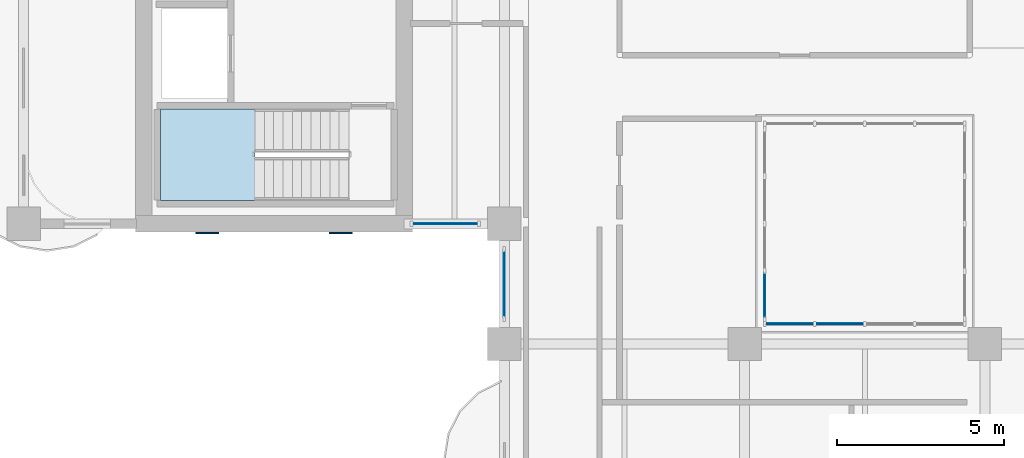
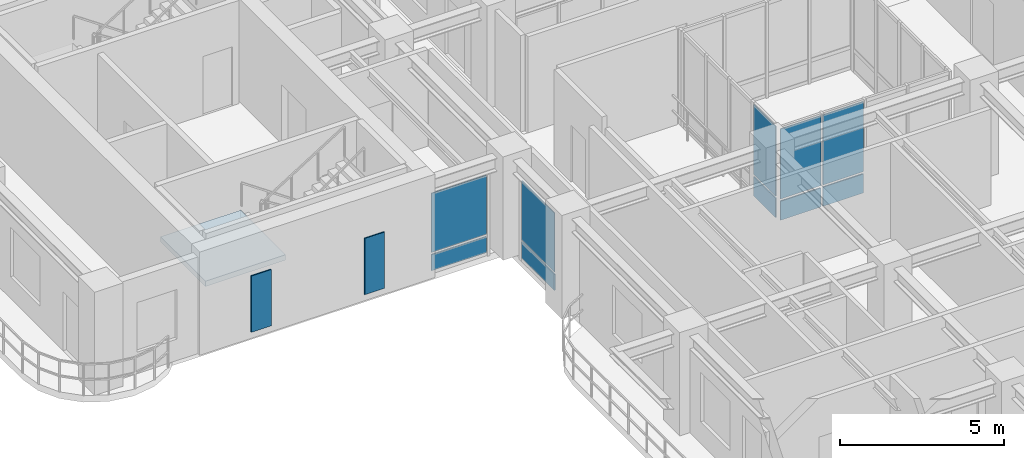
# One storey, part 8 of 21: 12 plates, 1 slab, 5 elements without a shape of their own.
"""IFC4 building model written with IfcOpenShell, lengths in metres."""

from ifc_helpers import new_model, si_unit, derived_unit, direction, frame, origin, origin_2d, place, context, subcontext, project, spatial, polyline, rectangle, outline, extrude, source, transform, mapped, material, layer, layer_set, type_object, type_shapes, element, aggregate, save


model = new_model("IFC4")

# Units and contexts
model_context = context("Model", 3, precision=1e-05, world=origin(), true_north=direction((0.0, 1.0)))
body_context = subcontext(model_context, "Body", "Model", "MODEL_VIEW")
ifc_project = project(units=[si_unit("LENGTHUNIT", "METRE"), si_unit("AREAUNIT", "SQUARE_METRE"), si_unit("VOLUMEUNIT", "CUBIC_METRE"), si_unit("PLANEANGLEUNIT", "RADIAN"), si_unit("MASSUNIT", "GRAM", prefix="KILO"), si_unit("THERMODYNAMICTEMPERATUREUNIT", "KELVIN"), si_unit("POWERUNIT", "WATT"), derived_unit("THERMALTRANSMITTANCEUNIT", [(si_unit("POWERUNIT", "WATT"), 1), (si_unit("AREAUNIT", "SQUARE_METRE"), -1), (si_unit("THERMODYNAMICTEMPERATUREUNIT", "KELVIN"), -1)])], contexts=[model_context])

# Site, building, storey
site_placement = place(None, origin())
site = spatial("IfcSite", under=ifc_project, at=site_placement, CompositionType="ELEMENT")
building_placement = place(site_placement, origin())
building = spatial("IfcBuilding", under=site, at=building_placement, Name="Zahravan Archway Hotel and Residences", CompositionType="ELEMENT")
storey_placement = place(building_placement, frame((0.0, 0.0, 165.699951171875)))
storey = spatial("IfcBuildingStorey", under=building, at=storey_placement, Name="L41", CompositionType="ELEMENT", Elevation=165.699951171875)

# Stair, slab
ifc_material_1 = material(Name="Concrete C50/60", Category="concrete")
stair_type = type_object("IfcStairType", Name="STR-CORE-1300", PredefinedType="HALF_TURN_STAIR", material=ifc_material_1)
stair_placement = place(storey_placement, origin())
stair = element("IfcStair", 1, at=stair_placement, inside=storey, type_object=stair_type, Name="L41 Core B Exit Stair 1", PredefinedType="HALF_TURN_STAIR")
ifc_layer_1 = layer(ifc_material_1, 0.199951171875, Name="Concrete C50/60", Category="concrete")
ifc_layer_set_1 = layer_set([ifc_layer_1], Name="Concrete C50/60")
slab_type = type_object("IfcSlabType", Name="SLB-LND-200", PredefinedType="LANDING", material=ifc_layer_set_1)
slab_placement = place(storey_placement, frame((0.0, 0.0, 1.72509765625)))
slab = element("IfcSlab", 2, at=slab_placement, type_object=slab_type, Name="ST-B1 landing 1", PredefinedType="LANDING", context=body_context, shape_type="SweptSolid", body=[
    extrude(outline(polyline([(6.929931640625, 28.639892578125), (4.10009765625, 28.639892578125), (4.10009765625, 25.89990234375), (6.929931640625, 25.89990234375), (6.929931640625, 28.639892578125)])), origin(), (0.0, 0.0, 1.0), 0.199951171875),
])
aggregate(stair, [slab])

# Plates
ifc_material_2 = material(Name="Perforated Cast Bronze Jali Lattice")
ifc_layer_2 = layer(ifc_material_2, 0.044921875, Name="Perforated Cast Bronze Jali Lattice")
ifc_layer_set_2 = layer_set([ifc_layer_2], Name="Perforated Cast Bronze Jali Lattice")
plate_type_1 = type_object("IfcPlateType", Name="PLT-JALI-BAY", PredefinedType="USERDEFINED", material=ifc_layer_set_2)
shared_shape_1 = source(origin(), body_context, "Body", "SweptSolid", [
    extrude(rectangle(XDim=0.699951171875, YDim=0.044921875, at=origin_2d()), origin(), (0.0, 0.0, 1.0), 2.10009765625),
])
type_shapes(plate_type_1, [shared_shape_1])
for number, where, z_axis, x_axis, name in (
    (3, (5.5, 24.931884765625, 0.25), (0.0, 0.0, 1.0), (1.0, 0.0, 0.0), "L41 Core B South Mughal Jali Screen 1"),
    (4, (9.5, 24.931884765625, 0.25), (0.0, 0.0, 1.0), (1.0, 0.0, 0.0), "L41 Core B South Mughal Jali Screen 2"),
):
    element("IfcPlate", number, at=place(storey_placement, frame(where, z_axis=z_axis, x_axis=x_axis)), inside=storey, type_object=plate_type_1, Name=name, ObjectType="SCREEN", PredefinedType="USERDEFINED", context=body_context, shape_type="MappedRepresentation", body=[
        mapped(shared_shape_1, transform((0.0, 0.0, 0.0), scale=1.0)),
    ])

# Curtain wall, plates
ifc_material_3 = material(Name="Bronze-Anodized Unitised Aluminium & Low-E Glass", Category="aluminium")
ifc_layer_3 = layer(ifc_material_3, 0.179931640625, Name="Bronze-Anodized Unitised Aluminium & Low-E Glass", Category="aluminium")
ifc_layer_set_3 = layer_set([ifc_layer_3], Name="Bronze-Anodized Unitised Aluminium & Low-E Glass")
curtain_wall_type = type_object("IfcCurtainWallType", Name="CW-ATR-GLAZ", PredefinedType="NOTDEFINED", material=ifc_layer_set_3)
curtain_wall_1_placement = place(storey_placement, origin())
curtain_wall_1 = element("IfcCurtainWall", 5, at=curtain_wall_1_placement, inside=storey, type_object=curtain_wall_type, Name="L41 Curtain Wall CW-ATR-L41-S-1", PredefinedType="NOTDEFINED")
ifc_material_4 = material(Name="Insulated Terracotta Spandrel Panel", Category="masonry")
ifc_layer_4 = layer(ifc_material_4, 0.0400390625, Name="Insulated Terracotta Spandrel Panel", Category="masonry")
ifc_layer_set_4 = layer_set([ifc_layer_4], Name="Insulated Terracotta Spandrel Panel")
plate_type_2 = type_object("IfcPlateType", Name="CWP-SPN-40", PredefinedType="SHEET", material=ifc_layer_set_4)
shared_shape_2 = source(origin(), body_context, "Body", "SweptSolid", [
    extrude(rectangle(XDim=1.419921875, YDim=0.0400390625, at=origin_2d()), origin(), (0.0, 0.0, 1.0), 0.7099609375),
])
plate_1_placement = place(storey_placement, frame((22.949951171875, 22.199951171875, 0.10009765625), z_axis=(0.0, 0.0, 1.0), x_axis=(1.0, 0.0, 0.0)))
plate_1 = element("IfcPlate", 6, at=plate_1_placement, type_object=plate_type_2, Name="CW-ATR-L41-S-1 Spandrel Panel 0", PredefinedType="SHEET", context=body_context, shape_type="MappedRepresentation", body=[
    mapped(shared_shape_2, transform((0.0, 0.0, 0.0), scale=1.0)),
])
plate_2_placement = place(storey_placement, frame((24.449951171875, 22.199951171875, 0.10009765625), z_axis=(0.0, 0.0, 1.0), x_axis=(1.0, 0.0, 0.0)))
plate_2 = element("IfcPlate", 7, at=plate_2_placement, type_object=plate_type_2, Name="CW-ATR-L41-S-1 Spandrel Panel 1", PredefinedType="SHEET", context=body_context, shape_type="MappedRepresentation", body=[
    mapped(shared_shape_2, transform((0.0, 0.0, 0.0), scale=1.0)),
])

# Curtain wall, plate
curtain_wall_2_placement = place(storey_placement, origin())
curtain_wall_2 = element("IfcCurtainWall", 8, at=curtain_wall_2_placement, inside=storey, type_object=curtain_wall_type, Name="L41 Curtain Wall CW-ATR-L41-W-1", PredefinedType="NOTDEFINED")
shared_shape_3 = source(origin(), body_context, "Body", "SweptSolid", [
    extrude(rectangle(XDim=1.344970703125, YDim=0.0400390625, at=origin_2d()), origin(), (0.0, 0.0, 1.0), 0.7099609375),
])
plate_3_placement = place(storey_placement, frame((22.199951171875, 23.0625, 0.10009765625), z_axis=(0.0, 0.0, 1.0), x_axis=(0.0, 1.0, 0.0)))
plate_3 = element("IfcPlate", 9, at=plate_3_placement, type_object=plate_type_2, Name="CW-ATR-L41-W-1 Spandrel Panel 0", PredefinedType="SHEET", context=body_context, shape_type="MappedRepresentation", body=[
    mapped(shared_shape_3, transform((0.0, 0.0, 0.0), scale=1.0)),
])

# Curtain wall, plates
curtain_wall_3_placement = place(storey_placement, origin())
curtain_wall_3 = element("IfcCurtainWall", 10, at=curtain_wall_3_placement, inside=storey, type_object=curtain_wall_type, Name="L41 Curtain Wall CW-L41-WA-WLU-1", PredefinedType="NOTDEFINED")
shared_shape_4 = source(origin(), body_context, "Body", "SweptSolid", [
    extrude(rectangle(XDim=2.0, YDim=0.0400390625, at=origin_2d()), origin(), (0.0, 0.0, 1.0), 0.600341796875),
])
plate_4_placement = place(storey_placement, frame((14.39990234375, 23.39990234375, 0.10009765625), z_axis=(0.0, 0.0, 1.0), x_axis=(0.0, 1.0, 0.0)))
plate_4 = element("IfcPlate", 11, at=plate_4_placement, type_object=plate_type_2, Name="CW-L41-WA-WLU-1 Spandrel Panel 0", PredefinedType="SHEET", context=body_context, shape_type="MappedRepresentation", body=[
    mapped(shared_shape_4, transform((0.0, 0.0, 0.0), scale=1.0)),
])
ifc_material_5 = material(Name="Double-Silver Low-E Insulated Vision Glass", Category="glass")
ifc_layer_5 = layer(ifc_material_5, 0.028076171875, Name="Double-Silver Low-E Insulated Vision Glass", Category="glass")
ifc_layer_set_5 = layer_set([ifc_layer_5], Name="Double-Silver Low-E Insulated Vision Glass")
plate_type_3 = type_object("IfcPlateType", Name="CWP-GLZ-28", PredefinedType="CURTAIN_PANEL", material=ifc_layer_set_5)
shared_shape_5 = source(origin(), body_context, "Body", "SweptSolid", [
    extrude(rectangle(XDim=2.0, YDim=0.028076171875, at=origin_2d()), origin(), (0.0, 0.0, 1.0), 2.20458984375),
])
plate_5_placement = place(storey_placement, frame((14.39990234375, 23.39990234375, 0.780517578125), z_axis=(0.0, 0.0, 1.0), x_axis=(0.0, 1.0, 0.0)))
plate_5 = element("IfcPlate", 12, at=plate_5_placement, type_object=plate_type_3, Name="CW-L41-WA-WLU-1 Low-E Vision Panel 0", PredefinedType="CURTAIN_PANEL", context=body_context, shape_type="MappedRepresentation", body=[
    mapped(shared_shape_5, transform((0.0, 0.0, 0.0), scale=1.0)),
])
aggregate(curtain_wall_3, [plate_4, plate_5])

curtain_wall_4_placement = place(storey_placement, origin())
curtain_wall_4 = element("IfcCurtainWall", 13, at=curtain_wall_4_placement, inside=storey, type_object=curtain_wall_type, Name="L41 Curtain Wall CW-L41-WB-SE-1", PredefinedType="NOTDEFINED")
shared_shape_6 = source(origin(), body_context, "Body", "SweptSolid", [
    extrude(rectangle(XDim=1.93994140625, YDim=0.0400390625, at=origin_2d()), origin(), (0.0, 0.0, 1.0), 0.600341796875),
])
plate_6_placement = place(storey_placement, frame((12.6298828125, 25.199951171875, 0.10009765625), z_axis=(0.0, 0.0, 1.0), x_axis=(1.0, 0.0, 0.0)))
plate_6 = element("IfcPlate", 14, at=plate_6_placement, type_object=plate_type_2, Name="CW-L41-WB-SE-1 Spandrel Panel 0", PredefinedType="SHEET", context=body_context, shape_type="MappedRepresentation", body=[
    mapped(shared_shape_6, transform((0.0, 0.0, 0.0), scale=1.0)),
])
shared_shape_7 = source(origin(), body_context, "Body", "SweptSolid", [
    extrude(rectangle(XDim=1.93994140625, YDim=0.028076171875, at=origin_2d()), origin(), (0.0, 0.0, 1.0), 2.20458984375),
])
plate_7_placement = place(storey_placement, frame((12.6298828125, 25.199951171875, 0.780517578125), z_axis=(0.0, 0.0, 1.0), x_axis=(1.0, 0.0, 0.0)))
plate_7 = element("IfcPlate", 15, at=plate_7_placement, type_object=plate_type_3, Name="CW-L41-WB-SE-1 Low-E Vision Panel 0", PredefinedType="CURTAIN_PANEL", context=body_context, shape_type="MappedRepresentation", body=[
    mapped(shared_shape_7, transform((0.0, 0.0, 0.0), scale=1.0)),
])
aggregate(curtain_wall_4, [plate_6, plate_7])

# Plate
shared_shape_8 = source(origin(), body_context, "Body", "SweptSolid", [
    extrude(rectangle(XDim=1.419921875, YDim=0.028076171875, at=origin_2d()), origin(), (0.0, 0.0, 1.0), 2.610107421875),
])
plate_8_placement = place(storey_placement, frame((22.949951171875, 22.199951171875, 0.89013671875), z_axis=(0.0, 0.0, 1.0), x_axis=(1.0, 0.0, 0.0)))
plate_8 = element("IfcPlate", 16, at=plate_8_placement, type_object=plate_type_3, Name="CW-ATR-L41-S-1 Low-E Vision Panel 0", PredefinedType="CURTAIN_PANEL", context=body_context, shape_type="MappedRepresentation", body=[
    mapped(shared_shape_8, transform((0.0, 0.0, 0.0), scale=1.0)),
])

plate_9_placement = place(storey_placement, frame((24.449951171875, 22.199951171875, 0.89013671875), z_axis=(0.0, 0.0, 1.0), x_axis=(1.0, 0.0, 0.0)))
plate_9 = element("IfcPlate", 17, at=plate_9_placement, type_object=plate_type_3, Name="CW-ATR-L41-S-1 Low-E Vision Panel 1", PredefinedType="CURTAIN_PANEL", context=body_context, shape_type="MappedRepresentation", body=[
    mapped(shared_shape_8, transform((0.0, 0.0, 0.0), scale=1.0)),
])

aggregate(curtain_wall_1, [plate_1, plate_8, plate_2, plate_9])

shared_shape_9 = source(origin(), body_context, "Body", "SweptSolid", [
    extrude(rectangle(XDim=1.344970703125, YDim=0.028076171875, at=origin_2d()), origin(), (0.0, 0.0, 1.0), 2.610107421875),
])
plate_10_placement = place(storey_placement, frame((22.199951171875, 23.0625, 0.89013671875), z_axis=(0.0, 0.0, 1.0), x_axis=(0.0, 1.0, 0.0)))
plate_10 = element("IfcPlate", 18, at=plate_10_placement, type_object=plate_type_3, Name="CW-ATR-L41-W-1 Low-E Vision Panel 0", PredefinedType="CURTAIN_PANEL", context=body_context, shape_type="MappedRepresentation", body=[
    mapped(shared_shape_9, transform((0.0, 0.0, 0.0), scale=1.0)),
])

aggregate(curtain_wall_2, [plate_3, plate_10])

save(model, "model.ifc")
